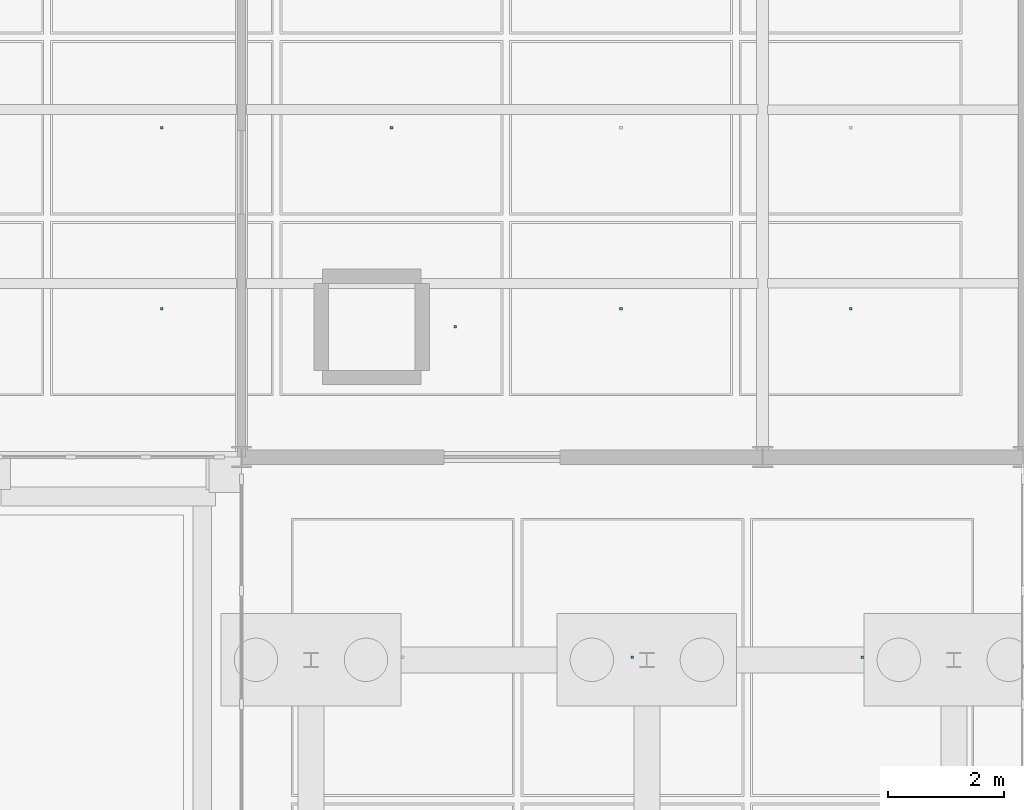
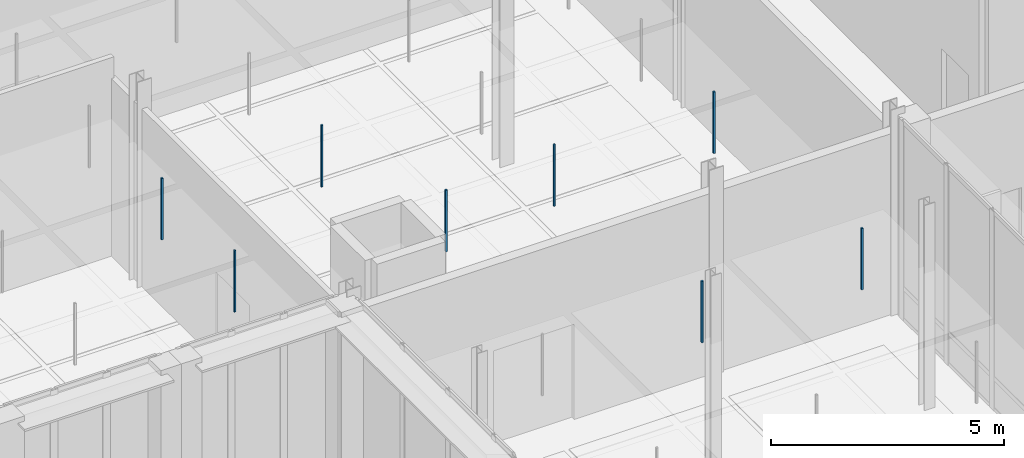
# One storey, part 134 of 180: 8 discrete accessories.
"""IFC4 building model written with IfcOpenShell, lengths in metres."""

from ifc_helpers import new_model, si_unit, direction, frame, origin, origin_2d, place, context, subcontext, project, spatial, rectangle, extrude, material, type_object, element, save


model = new_model("IFC4")

# Units and contexts
model_context = context("Model", 3, precision=1e-05, world=origin(), true_north=direction((0.0, 1.0)))
body_context = subcontext(model_context, "Body", "Model", "MODEL_VIEW")
ifc_project = project(units=[si_unit("LENGTHUNIT", "METRE"), si_unit("AREAUNIT", "SQUARE_METRE"), si_unit("VOLUMEUNIT", "CUBIC_METRE"), si_unit("PLANEANGLEUNIT", "RADIAN"), si_unit("MASSUNIT", "GRAM", prefix="KILO"), si_unit("THERMODYNAMICTEMPERATUREUNIT", "KELVIN"), si_unit("POWERUNIT", "WATT")], contexts=[model_context])

# Site, building, storey
site_placement = place(None, origin())
site = spatial("IfcSite", under=ifc_project, at=site_placement, CompositionType="ELEMENT")
building_placement = place(site_placement, origin())
building = spatial("IfcBuilding", under=site, at=building_placement, Name="Tallowbark Science Centre", CompositionType="ELEMENT")
storey_placement = place(building_placement, origin())
storey = spatial("IfcBuildingStorey", under=building, at=storey_placement, Name="L00", CompositionType="ELEMENT", Elevation=0.0)

# Discrete accessories
ifc_material = material(Name="Galvanised Steel Grade C350L0 (350 MPa)", Category="steel")
discrete_accessory_type = type_object("IfcDiscreteAccessoryType", Name="ACC-CLG-HNG", PredefinedType="BRACKET", material=ifc_material)
for number, where, z_axis, x_axis, name in (
    (1, (97.625, 74.5625, 3.60498046875), (0.0, 0.0, 1.0), (1.0, 0.0, 0.0), "Ceiling Hanger Bracket L00-365"),
    (2, (97.625, 77.6875, 3.60498046875), (0.0, 0.0, 1.0), (1.0, 0.0, 0.0), "Ceiling Hanger Bracket L00-366"),
    (3, (102.690673828125, 74.25, 3.60498046875), (0.0, 0.0, 1.0), (1.0, 0.0, 0.0), "Ceiling Hanger Bracket L00-373"),
    (4, (101.58935546875, 77.6875, 3.60498046875), (0.0, 0.0, 1.0), (1.0, 0.0, 0.0), "Ceiling Hanger Bracket L00-374"),
    (5, (105.5537109375, 74.5625, 3.60498046875), (0.0, 0.0, 1.0), (1.0, 0.0, 0.0), "Ceiling Hanger Bracket L00-381"),
    (6, (109.517822265625, 74.5625, 3.60498046875), (0.0, 0.0, 1.0), (1.0, 0.0, 0.0), "Ceiling Hanger Bracket L00-389"),
):
    element("IfcDiscreteAccessory", number, at=place(storey_placement, frame(where, z_axis=z_axis, x_axis=x_axis)), inside=storey, type_object=discrete_accessory_type, Name=name, PredefinedType="BRACKET", context=body_context, shape_type="SweptSolid", body=[
        extrude(rectangle(XDim=0.044921875, YDim=0.044921875, at=origin_2d()), origin(), (0.0, 0.0, 1.0), 1.617919921875),
    ])
for number, where, z_axis, x_axis, name in (
    (7, (105.75, 68.541748046875, 3.609375), (0.0, 0.0, 1.0), (1.0, 0.0, 0.0), "Ceiling Hanger Bracket L00-476"),
    (8, (109.716796875, 68.541748046875, 3.609375), (0.0, 0.0, 1.0), (1.0, 0.0, 0.0), "Ceiling Hanger Bracket L00-482"),
):
    element("IfcDiscreteAccessory", number, at=place(storey_placement, frame(where, z_axis=z_axis, x_axis=x_axis)), inside=storey, type_object=discrete_accessory_type, Name=name, PredefinedType="BRACKET", context=body_context, shape_type="SweptSolid", body=[
        extrude(rectangle(XDim=0.044921875, YDim=0.044921875, at=origin_2d()), origin(), (0.0, 0.0, 1.0), 1.613525390625),
    ])

save(model, "model.ifc")
